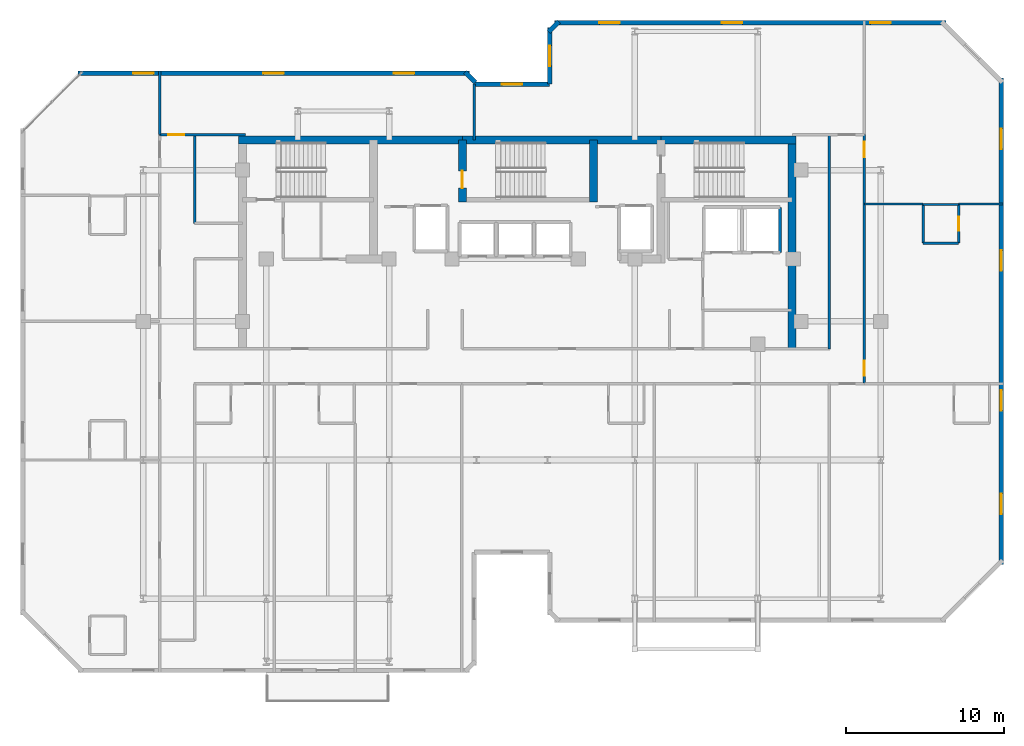
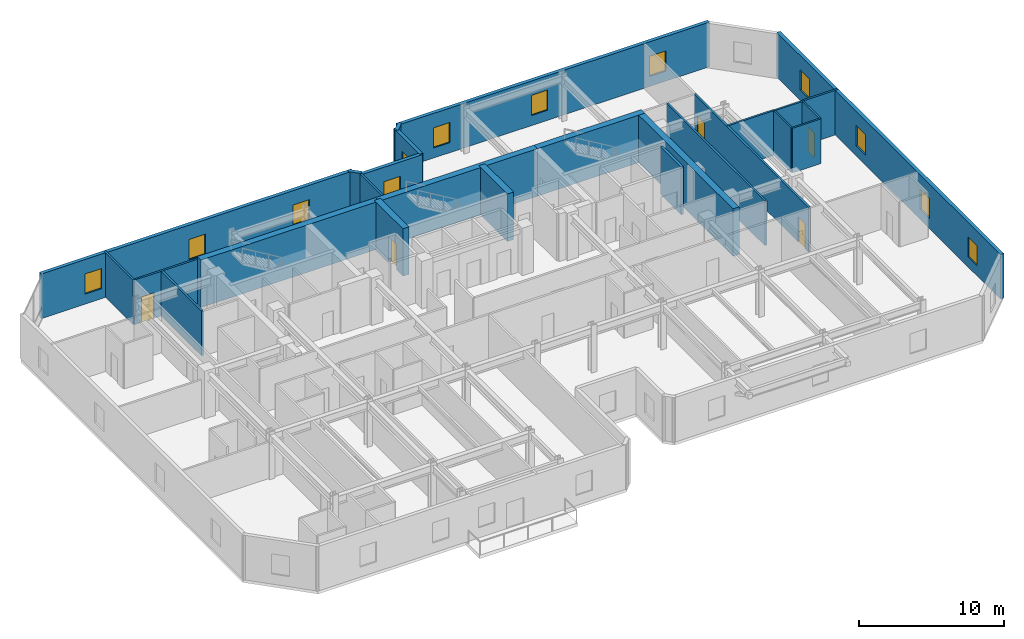
# One storey, part 7 of 10: 26 walls, 12 windows, 5 doors, 17 openings.
"""IFC4 building model written with IfcOpenShell, lengths in metres."""

from ifc_helpers import new_model, si_unit, direction, frame, frame_2d, origin, place, context, subcontext, project, spatial, rectangle, extrude, material, layer, layer_set, type_object, element, fill, save


model = new_model("IFC4")

# Units and contexts
model_context = context("Model", 3, precision=1e-05, world=origin(), true_north=direction((0.0, 1.0)))
body_context = subcontext(model_context, "Body", "Model", "MODEL_VIEW")
ifc_project = project(units=[si_unit("LENGTHUNIT", "METRE"), si_unit("AREAUNIT", "SQUARE_METRE"), si_unit("VOLUMEUNIT", "CUBIC_METRE"), si_unit("PLANEANGLEUNIT", "RADIAN"), si_unit("MASSUNIT", "GRAM", prefix="KILO")], contexts=[model_context])

# Site, building, storey
site_placement = place(None, origin())
site = spatial("IfcSite", under=ifc_project, at=site_placement, CompositionType="ELEMENT")
building_placement = place(site_placement, origin())
building = spatial("IfcBuilding", under=site, at=building_placement, Name="Kestravale Grand Hotel", CompositionType="ELEMENT")
storey_placement = place(building_placement, frame((0.0, 0.0, 281.39990234375)))
storey = spatial("IfcBuildingStorey", under=building, at=storey_placement, Name="L70", CompositionType="ELEMENT", Elevation=281.39990234375)

# Walls
ifc_material_1 = material(Name="Concrete f'c 50 MPa", Category="concrete")
ifc_layer_1 = layer(ifc_material_1, 0.5)
ifc_layer_set_1 = layer_set([ifc_layer_1], Name="EW-CORE-500")
wall_type_1 = type_object("IfcWallType", Name="EW-CORE-500", PredefinedType="SHEAR", material=ifc_layer_set_1)
wall_1_placement = place(storey_placement, frame((21.64990234375, 40.320068359375, 0.0), z_axis=(0.0, 0.0, 1.0), x_axis=(1.0, 0.0, 0.0)))
element("IfcWall", 1, at=wall_1_placement, inside=storey, type_object=wall_type_1, Name="L70 core shear wall N1", PredefinedType="SHEAR", context=body_context, shape_type="SweptSolid", body=[
    extrude(rectangle(XDim=14.2001953125, YDim=0.5, at=frame_2d((7.10009765625, 0.0))), origin(), (0.0, 0.0, 1.0), 4.0),
])
wall_2_placement = place(storey_placement, frame((35.85009765625, 40.320068359375, 0.0), z_axis=(0.0, 0.0, 1.0), x_axis=(1.0, 0.0, 0.0)))
element("IfcWall", 2, at=wall_2_placement, inside=storey, type_object=wall_type_1, Name="L70 core shear wall N2", PredefinedType="SHEAR", context=body_context, shape_type="SweptSolid", body=[
    extrude(rectangle(XDim=12.599853515625, YDim=0.5, at=frame_2d((6.2998046875, 0.0))), origin(), (0.0, 0.0, 1.0), 4.0),
])
wall_3_placement = place(storey_placement, frame((48.449951171875, 40.320068359375, 0.0), z_axis=(0.0, 0.0, 1.0), x_axis=(1.0, 0.0, 0.0)))
element("IfcWall", 3, at=wall_3_placement, inside=storey, type_object=wall_type_1, Name="L70 core shear wall N3", PredefinedType="SHEAR", context=body_context, shape_type="SweptSolid", body=[
    extrude(rectangle(XDim=8.570068359375, YDim=0.5, at=frame_2d((4.28515625, 0.0))), origin(), (0.0, 0.0, 1.0), 4.0),
])
wall_4_placement = place(storey_placement, frame((56.77001953125, 27.050048828125, 0.0), z_axis=(0.0, 0.0, 1.0), x_axis=(0.0, 1.0, 0.0)))
element("IfcWall", 4, at=wall_4_placement, inside=storey, type_object=wall_type_1, Name="L70 core shear wall E1", PredefinedType="SHEAR", context=body_context, shape_type="SweptSolid", body=[
    extrude(rectangle(XDim=13.52001953125, YDim=0.5, at=frame_2d((6.760009765625, 0.0))), origin(), (0.0, 0.0, 1.0), 4.0),
])

# Wall, opening, door
wall_5_placement = place(storey_placement, frame((35.85009765625, 36.3701171875, 0.0), z_axis=(0.0, 0.0, 1.0), x_axis=(0.0, 1.0, 0.0)))
wall_5 = element("IfcWall", 5, at=wall_5_placement, inside=storey, type_object=wall_type_1, Name="L70 core shear wall X2", PredefinedType="SHEAR", context=body_context, shape_type="SweptSolid", body=[
    extrude(rectangle(XDim=3.949951171875, YDim=0.5, at=frame_2d((1.97509765625, 0.0))), origin(), (0.0, 0.0, 1.0), 4.0),
])
opening_1_placement = place(wall_5_placement, frame((0.8798828125, 0.0, 0.0)))
opening_1 = element("IfcOpeningElement", 6, at=opening_1_placement, cuts=wall_5, Name="Opening D-ST-1100", PredefinedType="OPENING", context=body_context, shape_type="SweptSolid", body=[
    extrude(rectangle(XDim=1.10009765625, YDim=2.14990234375, at=frame_2d((0.550048828125, 1.074951171875))), frame((0.0, 0.260009765625, 0.0), z_axis=(0.0, -1.0, 0.0), x_axis=(1.0, 0.0, 0.0)), (0.0, 0.0, 1.0), 0.52001953125),
])
ifc_material_2 = material(Name="Galvanised 90-minute fire-rated steel stair door", Category="steel")
door_type_1 = type_object("IfcDoorType", Name="D-ST-1100", OperationType="NOTDEFINED", PredefinedType="DOOR", material=ifc_material_2)
door_1_placement = place(opening_1_placement, origin())
door_1 = element("IfcDoor", 7, at=door_1_placement, inside=storey, type_object=door_type_1, Name="L70 Stair ST-2 FSAE fire door", OperationType="SINGLE_SWING_RIGHT", OverallHeight=2.14990234375, OverallWidth=1.10009765625, PredefinedType="DOOR", context=body_context, shape_type="SweptSolid", body=[
    extrude(rectangle(XDim=1.10009765625, YDim=2.14990234375, at=frame_2d((0.550048828125, 1.074951171875))), frame((0.0, 0.02490234375, 0.0), z_axis=(0.0, -1.0, 0.0), x_axis=(1.0, 0.0, 0.0)), (0.0, 0.0, 1.0), 0.050048828125),
])
fill(opening_1, door_1)

# Wall
wall_6_placement = place(storey_placement, frame((44.179931640625, 36.3701171875, 0.0), z_axis=(0.0, 0.0, 1.0), x_axis=(0.0, 1.0, 0.0)))
element("IfcWall", 8, at=wall_6_placement, inside=storey, type_object=wall_type_1, Name="L70 core shear wall X3", PredefinedType="SHEAR", context=body_context, shape_type="SweptSolid", body=[
    extrude(rectangle(XDim=3.949951171875, YDim=0.5, at=frame_2d((1.97509765625, 0.0))), origin(), (0.0, 0.0, 1.0), 4.0),
])

# Wall, openings, windows
ifc_material_3 = material(Name="Precast concrete f'c 45 MPa", Category="concrete")
ifc_layer_2 = layer(ifc_material_3, 0.280029296875)
ifc_layer_set_2 = layer_set([ifc_layer_2], Name="EW-PREC-280")
wall_type_2 = type_object("IfcWallType", Name="EW-PREC-280", PredefinedType="SOLIDWALL", material=ifc_layer_set_2)
wall_7_placement = place(storey_placement, frame((70.06005859375, 13.360107421875, 0.0), z_axis=(0.0, 0.0, 1.0), x_axis=(0.0, 1.0, 0.0)))
wall_7 = element("IfcWall", 9, at=wall_7_placement, inside=storey, type_object=wall_type_2, Name="L70 fluted precast facade wall 9", PredefinedType="SOLIDWALL", context=body_context, shape_type="SweptSolid", body=[
    extrude(rectangle(XDim=30.8798828125, YDim=0.280029296875, at=frame_2d((15.43994140625, 0.0))), origin(), (0.0, 0.0, 1.0), 3.760009765625),
])
opening_2_placement = place(wall_7_placement, frame((3.2099609375, 0.0, 0.85009765625)))
opening_2 = element("IfcOpeningElement", 10, at=opening_2_placement, cuts=wall_7, Name="Opening W-GUEST-1300", PredefinedType="OPENING", context=body_context, shape_type="SweptSolid", body=[
    extrude(rectangle(XDim=1.300048828125, YDim=1.699951171875, at=frame_2d((0.64990234375, 0.85009765625))), frame((0.0, 0.14990234375, 0.0), z_axis=(0.0, -1.0, 0.0), x_axis=(1.0, 0.0, 0.0)), (0.0, 0.0, 1.0), 0.300048828125),
])
opening_3_placement = place(wall_7_placement, frame((9.780029296875, 0.0, 0.85009765625)))
opening_3 = element("IfcOpeningElement", 11, at=opening_3_placement, cuts=wall_7, Name="Opening W-GUEST-1300", PredefinedType="OPENING", context=body_context, shape_type="SweptSolid", body=[
    extrude(rectangle(XDim=1.300048828125, YDim=1.699951171875, at=frame_2d((0.64990234375, 0.85009765625))), frame((0.0, 0.14990234375, 0.0), z_axis=(0.0, -1.0, 0.0), x_axis=(1.0, 0.0, 0.0)), (0.0, 0.0, 1.0), 0.300048828125),
])
opening_4_placement = place(wall_7_placement, frame((18.64990234375, 0.0, 0.85009765625)))
opening_4 = element("IfcOpeningElement", 12, at=opening_4_placement, cuts=wall_7, Name="Opening W-GUEST-1300", PredefinedType="OPENING", context=body_context, shape_type="SweptSolid", body=[
    extrude(rectangle(XDim=1.300048828125, YDim=1.699951171875, at=frame_2d((0.64990234375, 0.85009765625))), frame((0.0, 0.14990234375, 0.0), z_axis=(0.0, -1.0, 0.0), x_axis=(1.0, 0.0, 0.0)), (0.0, 0.0, 1.0), 0.300048828125),
])
opening_5_placement = place(wall_7_placement, frame((26.3701171875, 0.0, 0.85009765625)))
opening_5 = element("IfcOpeningElement", 13, at=opening_5_placement, cuts=wall_7, Name="Opening W-GUEST-1300", PredefinedType="OPENING", context=body_context, shape_type="SweptSolid", body=[
    extrude(rectangle(XDim=1.300048828125, YDim=1.699951171875, at=frame_2d((0.64990234375, 0.85009765625))), frame((0.0, 0.14990234375, 0.0), z_axis=(0.0, -1.0, 0.0), x_axis=(1.0, 0.0, 0.0)), (0.0, 0.0, 1.0), 0.300048828125),
])
ifc_material_4 = material(Name="Insulated low-E double glazing in aluminium frame", Category="aluminium")
window_type = type_object("IfcWindowType", Name="W-GUEST-1300", PartitioningType="SINGLE_PANEL", PredefinedType="WINDOW", material=ifc_material_4)
window_1_placement = place(opening_2_placement, origin())
window_1 = element("IfcWindow", 14, at=window_1_placement, inside=storey, type_object=window_type, Name="L70 exterior window 9.1", OverallHeight=1.699951171875, OverallWidth=1.300048828125, PartitioningType="SINGLE_PANEL", PredefinedType="WINDOW", context=body_context, shape_type="SweptSolid", body=[
    extrude(rectangle(XDim=1.300048828125, YDim=1.699951171875, at=frame_2d((0.64990234375, 0.85009765625))), frame((0.0, 0.030029296875, 0.0), z_axis=(0.0, -1.0, 0.0), x_axis=(1.0, 0.0, 0.0)), (0.0, 0.0, 1.0), 0.06005859375),
])
fill(opening_2, window_1)
window_2_placement = place(opening_3_placement, origin())
window_2 = element("IfcWindow", 15, at=window_2_placement, inside=storey, type_object=window_type, Name="L70 exterior window 9.2", OverallHeight=1.699951171875, OverallWidth=1.300048828125, PartitioningType="SINGLE_PANEL", PredefinedType="WINDOW", context=body_context, shape_type="SweptSolid", body=[
    extrude(rectangle(XDim=1.300048828125, YDim=1.699951171875, at=frame_2d((0.64990234375, 0.85009765625))), frame((0.0, 0.030029296875, 0.0), z_axis=(0.0, -1.0, 0.0), x_axis=(1.0, 0.0, 0.0)), (0.0, 0.0, 1.0), 0.06005859375),
])
fill(opening_3, window_2)
window_3_placement = place(opening_4_placement, origin())
window_3 = element("IfcWindow", 16, at=window_3_placement, inside=storey, type_object=window_type, Name="L70 exterior window 9.3", OverallHeight=1.699951171875, OverallWidth=1.300048828125, PartitioningType="SINGLE_PANEL", PredefinedType="WINDOW", context=body_context, shape_type="SweptSolid", body=[
    extrude(rectangle(XDim=1.300048828125, YDim=1.699951171875, at=frame_2d((0.64990234375, 0.85009765625))), frame((0.0, 0.030029296875, 0.0), z_axis=(0.0, -1.0, 0.0), x_axis=(1.0, 0.0, 0.0)), (0.0, 0.0, 1.0), 0.06005859375),
])
fill(opening_4, window_3)
window_4_placement = place(opening_5_placement, origin())
window_4 = element("IfcWindow", 17, at=window_4_placement, inside=storey, type_object=window_type, Name="L70 exterior window 9.4", OverallHeight=1.699951171875, OverallWidth=1.300048828125, PartitioningType="SINGLE_PANEL", PredefinedType="WINDOW", context=body_context, shape_type="SweptSolid", body=[
    extrude(rectangle(XDim=1.300048828125, YDim=1.699951171875, at=frame_2d((0.64990234375, 0.85009765625))), frame((0.0, 0.030029296875, 0.0), z_axis=(0.0, -1.0, 0.0), x_axis=(1.0, 0.0, 0.0)), (0.0, 0.0, 1.0), 0.06005859375),
])
fill(opening_5, window_4)

wall_8_placement = place(storey_placement, frame((66.5400390625, 47.760009765625, 0.0), z_axis=(0.0, 0.0, 1.0), x_axis=(-1.0, 0.0, 0.0)))
wall_8 = element("IfcWall", 18, at=wall_8_placement, inside=storey, type_object=wall_type_2, Name="L70 fluted precast facade wall 11", PredefinedType="SOLIDWALL", context=body_context, shape_type="SweptSolid", body=[
    extrude(rectangle(XDim=24.830078125, YDim=0.280029296875, at=frame_2d((12.4150390625, 0.0))), origin(), (0.0, 0.0, 1.0), 3.760009765625),
])
opening_6_placement = place(wall_8_placement, frame((3.48828125, 0.0, 0.85009765625)))
opening_6 = element("IfcOpeningElement", 19, at=opening_6_placement, cuts=wall_8, Name="Opening W-GUEST-1300", PredefinedType="OPENING", context=body_context, shape_type="SweptSolid", body=[
    extrude(rectangle(XDim=1.300048828125, YDim=1.699951171875, at=frame_2d((0.64990234375, 0.85009765625))), frame((0.0, 0.14990234375, 0.0), z_axis=(0.0, -1.0, 0.0), x_axis=(1.0, 0.0, 0.0)), (0.0, 0.0, 1.0), 0.300048828125),
])
opening_7_placement = place(wall_8_placement, frame((12.9150390625, 0.0, 0.85009765625)))
opening_7 = element("IfcOpeningElement", 20, at=opening_7_placement, cuts=wall_8, Name="Opening W-GUEST-1300", PredefinedType="OPENING", context=body_context, shape_type="SweptSolid", body=[
    extrude(rectangle(XDim=1.300048828125, YDim=1.699951171875, at=frame_2d((0.64990234375, 0.85009765625))), frame((0.0, 0.14990234375, 0.0), z_axis=(0.0, -1.0, 0.0), x_axis=(1.0, 0.0, 0.0)), (0.0, 0.0, 1.0), 0.300048828125),
])
opening_8_placement = place(wall_8_placement, frame((20.691650390625, 0.0, 0.85009765625)))
opening_8 = element("IfcOpeningElement", 21, at=opening_8_placement, cuts=wall_8, Name="Opening W-GUEST-1300", PredefinedType="OPENING", context=body_context, shape_type="SweptSolid", body=[
    extrude(rectangle(XDim=1.300048828125, YDim=1.699951171875, at=frame_2d((0.64990234375, 0.85009765625))), frame((0.0, 0.14990234375, 0.0), z_axis=(0.0, -1.0, 0.0), x_axis=(1.0, 0.0, 0.0)), (0.0, 0.0, 1.0), 0.300048828125),
])
window_5_placement = place(opening_6_placement, origin())
window_5 = element("IfcWindow", 22, at=window_5_placement, inside=storey, type_object=window_type, Name="L70 exterior window 11.1", OverallHeight=1.699951171875, OverallWidth=1.300048828125, PartitioningType="SINGLE_PANEL", PredefinedType="WINDOW", context=body_context, shape_type="SweptSolid", body=[
    extrude(rectangle(XDim=1.300048828125, YDim=1.699951171875, at=frame_2d((0.64990234375, 0.85009765625))), frame((0.0, 0.030029296875, 0.0), z_axis=(0.0, -1.0, 0.0), x_axis=(1.0, 0.0, 0.0)), (0.0, 0.0, 1.0), 0.06005859375),
])
fill(opening_6, window_5)
window_6_placement = place(opening_7_placement, origin())
window_6 = element("IfcWindow", 23, at=window_6_placement, inside=storey, type_object=window_type, Name="L70 exterior window 11.2", OverallHeight=1.699951171875, OverallWidth=1.300048828125, PartitioningType="SINGLE_PANEL", PredefinedType="WINDOW", context=body_context, shape_type="SweptSolid", body=[
    extrude(rectangle(XDim=1.300048828125, YDim=1.699951171875, at=frame_2d((0.64990234375, 0.85009765625))), frame((0.0, 0.030029296875, 0.0), z_axis=(0.0, -1.0, 0.0), x_axis=(1.0, 0.0, 0.0)), (0.0, 0.0, 1.0), 0.06005859375),
])
fill(opening_7, window_6)
window_7_placement = place(opening_8_placement, origin())
window_7 = element("IfcWindow", 24, at=window_7_placement, inside=storey, type_object=window_type, Name="L70 exterior window 11.3", OverallHeight=1.699951171875, OverallWidth=1.300048828125, PartitioningType="SINGLE_PANEL", PredefinedType="WINDOW", context=body_context, shape_type="SweptSolid", body=[
    extrude(rectangle(XDim=1.300048828125, YDim=1.699951171875, at=frame_2d((0.64990234375, 0.85009765625))), frame((0.0, 0.030029296875, 0.0), z_axis=(0.0, -1.0, 0.0), x_axis=(1.0, 0.0, 0.0)), (0.0, 0.0, 1.0), 0.06005859375),
])
fill(opening_8, window_7)

# Wall
wall_9_placement = place(storey_placement, frame((41.977294921875, 47.829345703125, 0.0), z_axis=(0.0, 0.0, 1.0), x_axis=(-0.706975312048, -0.707238225886, 0.0)))
element("IfcWall", 25, at=wall_9_placement, inside=storey, type_object=wall_type_2, Name="L70 fluted precast facade wall 12", PredefinedType="SOLIDWALL", context=body_context, shape_type="SweptSolid", body=[
    extrude(rectangle(XDim=0.9287109375, YDim=0.280029296875, at=frame_2d((0.46435546875, 0.0))), origin(), (0.0, 0.0, 1.0), 3.760009765625),
])

# Wall, opening, window
wall_10_placement = place(storey_placement, frame((41.389892578125, 47.43994140625, 0.0), z_axis=(0.0, 0.0, 1.0), x_axis=(0.0, -1.0, 0.0)))
wall_10 = element("IfcWall", 26, at=wall_10_placement, inside=storey, type_object=wall_type_2, Name="L70 fluted precast facade wall 13", PredefinedType="SOLIDWALL", context=body_context, shape_type="SweptSolid", body=[
    extrude(rectangle(XDim=3.579833984375, YDim=0.280029296875, at=frame_2d((1.7900390625, 0.0))), origin(), (0.0, 0.0, 1.0), 3.760009765625),
])
opening_9_placement = place(wall_10_placement, frame((1.139892578125, 0.0, 0.85009765625)))
opening_9 = element("IfcOpeningElement", 27, at=opening_9_placement, cuts=wall_10, Name="Opening W-GUEST-1300", PredefinedType="OPENING", context=body_context, shape_type="SweptSolid", body=[
    extrude(rectangle(XDim=1.300048828125, YDim=1.699951171875, at=frame_2d((0.64990234375, 0.85009765625))), frame((0.0, 0.14990234375, 0.0), z_axis=(0.0, -1.0, 0.0), x_axis=(1.0, 0.0, 0.0)), (0.0, 0.0, 1.0), 0.300048828125),
])
window_8_placement = place(opening_9_placement, origin())
window_8 = element("IfcWindow", 28, at=window_8_placement, inside=storey, type_object=window_type, Name="L70 exterior window 13.1", OverallHeight=1.699951171875, OverallWidth=1.300048828125, PartitioningType="SINGLE_PANEL", PredefinedType="WINDOW", context=body_context, shape_type="SweptSolid", body=[
    extrude(rectangle(XDim=1.300048828125, YDim=1.699951171875, at=frame_2d((0.64990234375, 0.85009765625))), frame((0.0, 0.030029296875, 0.0), z_axis=(0.0, -1.0, 0.0), x_axis=(1.0, 0.0, 0.0)), (0.0, 0.0, 1.0), 0.06005859375),
])
fill(opening_9, window_8)

wall_11_placement = place(storey_placement, frame((41.389892578125, 43.860107421875, 0.0), z_axis=(0.0, 0.0, 1.0), x_axis=(-1.0, 0.0, 0.0)))
wall_11 = element("IfcWall", 29, at=wall_11_placement, inside=storey, type_object=wall_type_2, Name="L70 fluted precast facade wall 14", PredefinedType="SOLIDWALL", context=body_context, shape_type="SweptSolid", body=[
    extrude(rectangle(XDim=4.77978515625, YDim=0.280029296875, at=frame_2d((2.389892578125, 0.0))), origin(), (0.0, 0.0, 1.0), 3.760009765625),
])
opening_10_placement = place(wall_11_placement, frame((1.739990234375, 0.0, 0.85009765625)))
opening_10 = element("IfcOpeningElement", 30, at=opening_10_placement, cuts=wall_11, Name="Opening W-GUEST-1300", PredefinedType="OPENING", context=body_context, shape_type="SweptSolid", body=[
    extrude(rectangle(XDim=1.300048828125, YDim=1.699951171875, at=frame_2d((0.64990234375, 0.85009765625))), frame((0.0, 0.14990234375, 0.0), z_axis=(0.0, -1.0, 0.0), x_axis=(1.0, 0.0, 0.0)), (0.0, 0.0, 1.0), 0.300048828125),
])
window_9_placement = place(opening_10_placement, origin())
window_9 = element("IfcWindow", 31, at=window_9_placement, inside=storey, type_object=window_type, Name="L70 exterior window 14.1", OverallHeight=1.699951171875, OverallWidth=1.300048828125, PartitioningType="SINGLE_PANEL", PredefinedType="WINDOW", context=body_context, shape_type="SweptSolid", body=[
    extrude(rectangle(XDim=1.300048828125, YDim=1.699951171875, at=frame_2d((0.64990234375, 0.85009765625))), frame((0.0, 0.030029296875, 0.0), z_axis=(0.0, -1.0, 0.0), x_axis=(1.0, 0.0, 0.0)), (0.0, 0.0, 1.0), 0.06005859375),
])
fill(opening_10, window_9)

# Wall
wall_12_placement = place(storey_placement, frame((36.67919921875, 43.97265625, 0.0), z_axis=(0.0, 0.0, 1.0), x_axis=(-0.706975312048, 0.707238225886, 0.0)))
element("IfcWall", 32, at=wall_12_placement, inside=storey, type_object=wall_type_2, Name="L70 fluted precast facade wall 16", PredefinedType="SOLIDWALL", context=body_context, shape_type="SweptSolid", body=[
    extrude(rectangle(XDim=0.9287109375, YDim=0.280029296875, at=frame_2d((0.46435546875, 0.0))), origin(), (0.0, 0.0, 1.0), 3.760009765625),
])

# Wall, openings, windows
wall_13_placement = place(storey_placement, frame((36.2900390625, 44.56005859375, 0.0), z_axis=(0.0, 0.0, 1.0), x_axis=(-1.0, 0.0, 0.0)))
wall_13 = element("IfcWall", 33, at=wall_13_placement, inside=storey, type_object=wall_type_2, Name="L70 fluted precast facade wall 17", PredefinedType="SOLIDWALL", context=body_context, shape_type="SweptSolid", body=[
    extrude(rectangle(XDim=24.830078125, YDim=0.280029296875, at=frame_2d((12.4150390625, 0.0))), origin(), (0.0, 0.0, 1.0), 3.760009765625),
])
opening_11_placement = place(wall_13_placement, frame((3.48828125, 0.0, 0.85009765625)))
opening_11 = element("IfcOpeningElement", 34, at=opening_11_placement, cuts=wall_13, Name="Opening W-GUEST-1300", PredefinedType="OPENING", context=body_context, shape_type="SweptSolid", body=[
    extrude(rectangle(XDim=1.300048828125, YDim=1.699951171875, at=frame_2d((0.64990234375, 0.85009765625))), frame((0.0, 0.14990234375, 0.0), z_axis=(0.0, -1.0, 0.0), x_axis=(1.0, 0.0, 0.0)), (0.0, 0.0, 1.0), 0.300048828125),
])
opening_12_placement = place(wall_13_placement, frame((11.764892578125, 0.0, 0.85009765625)))
opening_12 = element("IfcOpeningElement", 35, at=opening_12_placement, cuts=wall_13, Name="Opening W-GUEST-1300", PredefinedType="OPENING", context=body_context, shape_type="SweptSolid", body=[
    extrude(rectangle(XDim=1.300048828125, YDim=1.699951171875, at=frame_2d((0.64990234375, 0.85009765625))), frame((0.0, 0.14990234375, 0.0), z_axis=(0.0, -1.0, 0.0), x_axis=(1.0, 0.0, 0.0)), (0.0, 0.0, 1.0), 0.300048828125),
])
opening_13_placement = place(wall_13_placement, frame((20.041748046875, 0.0, 0.85009765625)))
opening_13 = element("IfcOpeningElement", 36, at=opening_13_placement, cuts=wall_13, Name="Opening W-GUEST-1300", PredefinedType="OPENING", context=body_context, shape_type="SweptSolid", body=[
    extrude(rectangle(XDim=1.300048828125, YDim=1.699951171875, at=frame_2d((0.64990234375, 0.85009765625))), frame((0.0, 0.14990234375, 0.0), z_axis=(0.0, -1.0, 0.0), x_axis=(1.0, 0.0, 0.0)), (0.0, 0.0, 1.0), 0.300048828125),
])
window_10_placement = place(opening_11_placement, origin())
window_10 = element("IfcWindow", 37, at=window_10_placement, inside=storey, type_object=window_type, Name="L70 exterior window 17.1", OverallHeight=1.699951171875, OverallWidth=1.300048828125, PartitioningType="SINGLE_PANEL", PredefinedType="WINDOW", context=body_context, shape_type="SweptSolid", body=[
    extrude(rectangle(XDim=1.300048828125, YDim=1.699951171875, at=frame_2d((0.64990234375, 0.85009765625))), frame((0.0, 0.030029296875, 0.0), z_axis=(0.0, -1.0, 0.0), x_axis=(1.0, 0.0, 0.0)), (0.0, 0.0, 1.0), 0.06005859375),
])
fill(opening_11, window_10)
window_11_placement = place(opening_12_placement, origin())
window_11 = element("IfcWindow", 38, at=window_11_placement, inside=storey, type_object=window_type, Name="L70 exterior window 17.2", OverallHeight=1.699951171875, OverallWidth=1.300048828125, PartitioningType="SINGLE_PANEL", PredefinedType="WINDOW", context=body_context, shape_type="SweptSolid", body=[
    extrude(rectangle(XDim=1.300048828125, YDim=1.699951171875, at=frame_2d((0.64990234375, 0.85009765625))), frame((0.0, 0.030029296875, 0.0), z_axis=(0.0, -1.0, 0.0), x_axis=(1.0, 0.0, 0.0)), (0.0, 0.0, 1.0), 0.06005859375),
])
fill(opening_12, window_11)
window_12_placement = place(opening_13_placement, origin())
window_12 = element("IfcWindow", 39, at=window_12_placement, inside=storey, type_object=window_type, Name="L70 exterior window 17.3", OverallHeight=1.699951171875, OverallWidth=1.300048828125, PartitioningType="SINGLE_PANEL", PredefinedType="WINDOW", context=body_context, shape_type="SweptSolid", body=[
    extrude(rectangle(XDim=1.300048828125, YDim=1.699951171875, at=frame_2d((0.64990234375, 0.85009765625))), frame((0.0, 0.030029296875, 0.0), z_axis=(0.0, -1.0, 0.0), x_axis=(1.0, 0.0, 0.0)), (0.0, 0.0, 1.0), 0.06005859375),
])
fill(opening_13, window_12)

# Wall
ifc_material_5 = material(Name="Acoustic fire-rated gypsum board partition", Category="other")
ifc_layer_3 = layer(ifc_material_5, 0.159912109375)
ifc_layer_set_3 = layer_set([ifc_layer_3], Name="IW-CORR-160")
wall_type_3 = type_object("IfcWallType", Name="IW-CORR-160", PredefinedType="PARTITIONING", material=ifc_layer_set_3)
wall_14_placement = place(storey_placement, frame((18.860107421875, 35.02001953125, 0.0), z_axis=(0.0, 0.0, 1.0), x_axis=(0.0, 1.0, 0.0)))
element("IfcWall", 40, at=wall_14_placement, inside=storey, type_object=wall_type_3, Name="W-L70-SW-EN", PredefinedType="PARTITIONING", context=body_context, shape_type="SweptSolid", body=[
    extrude(rectangle(XDim=5.6298828125, YDim=0.159912109375, at=frame_2d((2.81494140625, 0.0))), origin(), (0.0, 0.0, 1.0), 3.760009765625),
])

# Wall, openings, doors
wall_15_placement = place(storey_placement, frame((61.360107421875, 24.89990234375, 0.0), z_axis=(0.0, 0.0, 1.0), x_axis=(0.0, 1.0, 0.0)))
wall_15 = element("IfcWall", 41, at=wall_15_placement, inside=storey, type_object=wall_type_3, Name="W-L70-SE-E", PredefinedType="PARTITIONING", context=body_context, shape_type="SweptSolid", body=[
    extrude(rectangle(XDim=15.75, YDim=0.159912109375, at=frame_2d((7.875, 0.0))), origin(), (0.0, 0.0, 1.0), 3.760009765625),
])
opening_14_placement = place(wall_15_placement, frame((0.4599609375, 0.0, 0.0)))
opening_14 = element("IfcOpeningElement", 42, at=opening_14_placement, cuts=wall_15, Name="Opening D-GUEST-950", PredefinedType="OPENING", context=body_context, shape_type="SweptSolid", body=[
    extrude(rectangle(XDim=0.949951171875, YDim=2.10009765625, at=frame_2d((0.47509765625, 1.050048828125))), frame((0.0, 0.08984375, 0.0), z_axis=(0.0, -1.0, 0.0), x_axis=(1.0, 0.0, 0.0)), (0.0, 0.0, 1.0), 0.179931640625),
])
opening_15_placement = place(wall_15_placement, frame((14.31005859375, 0.0, 0.0)))
opening_15 = element("IfcOpeningElement", 43, at=opening_15_placement, cuts=wall_15, Name="Opening D-GUEST-1000", PredefinedType="OPENING", context=body_context, shape_type="SweptSolid", body=[
    extrude(rectangle(XDim=1.0, YDim=2.14990234375, at=frame_2d((0.5, 1.074951171875))), frame((0.0, 0.08984375, 0.0), z_axis=(0.0, -1.0, 0.0), x_axis=(1.0, 0.0, 0.0)), (0.0, 0.0, 1.0), 0.179931640625),
])
ifc_material_6 = material(Name="Accessible walnut veneer hotel entrance fire door", Category="wood")
door_type_2 = type_object("IfcDoorType", Name="D-GUEST-1000", OperationType="NOTDEFINED", PredefinedType="DOOR", material=ifc_material_6)
door_2_placement = place(opening_15_placement, origin())
door_2 = element("IfcDoor", 44, at=door_2_placement, inside=storey, type_object=door_type_2, Name="D-L70-AMEW", OperationType="SINGLE_SWING_LEFT", OverallHeight=2.14990234375, OverallWidth=1.0, PredefinedType="DOOR", context=body_context, shape_type="SweptSolid", body=[
    extrude(rectangle(XDim=1.0, YDim=2.14990234375, at=frame_2d((0.5, 1.074951171875))), frame((0.0, 0.02490234375, 0.0), z_axis=(0.0, -1.0, 0.0), x_axis=(1.0, 0.0, 0.0)), (0.0, 0.0, 1.0), 0.050048828125),
])
fill(opening_15, door_2)
ifc_material_7 = material(Name="Walnut veneer hotel guestroom entrance fire door", Category="wood")
door_type_3 = type_object("IfcDoorType", Name="D-GUEST-950", OperationType="NOTDEFINED", PredefinedType="DOOR", material=ifc_material_7)
door_3_placement = place(opening_14_placement, origin())
door_3 = element("IfcDoor", 45, at=door_3_placement, inside=storey, type_object=door_type_3, Name="D-L70-U08-ENT", OperationType="SINGLE_SWING_RIGHT", OverallHeight=2.10009765625, OverallWidth=0.949951171875, PredefinedType="DOOR", context=body_context, shape_type="SweptSolid", body=[
    extrude(rectangle(XDim=0.949951171875, YDim=2.10009765625, at=frame_2d((0.47509765625, 1.050048828125))), frame((0.0, 0.02490234375, 0.0), z_axis=(0.0, -1.0, 0.0), x_axis=(1.0, 0.0, 0.0)), (0.0, 0.0, 1.0), 0.050048828125),
])
fill(opening_14, door_3)

# Walls
wall_16_placement = place(storey_placement, frame((59.139892578125, 27.06005859375, 0.0), z_axis=(0.0, 0.0, 1.0), x_axis=(0.0, 1.0, 0.0)))
element("IfcWall", 46, at=wall_16_placement, inside=storey, type_object=wall_type_3, Name="W-L70-SE-WU", PredefinedType="PARTITIONING", context=body_context, shape_type="SweptSolid", body=[
    extrude(rectangle(XDim=13.58984375, YDim=0.159912109375, at=frame_2d((6.794921875, 0.0))), origin(), (0.0, 0.0, 1.0), 3.760009765625),
])
ifc_material_8 = material(Name="Moisture-resistant tile-backer plumbing chase wall", Category="other")
ifc_layer_4 = layer(ifc_material_8, 0.139892578125)
ifc_layer_set_4 = layer_set([ifc_layer_4], Name="IW-PLB-140")
wall_type_4 = type_object("IfcWallType", Name="IW-PLB-140", PredefinedType="PLUMBINGWALL", material=ifc_layer_set_4)
wall_17_placement = place(storey_placement, frame((65.10009765625, 33.760009765625, 0.0), z_axis=(0.0, 0.0, 1.0), x_axis=(0.0, 1.0, 0.0)))
element("IfcWall", 47, at=wall_17_placement, inside=storey, type_object=wall_type_4, Name="W-L70-U08-BW", PredefinedType="PLUMBINGWALL", context=body_context, shape_type="SweptSolid", body=[
    extrude(rectangle(XDim=2.449951171875, YDim=0.139892578125, at=frame_2d((1.22509765625, 0.0))), origin(), (0.0, 0.0, 1.0), 3.760009765625),
])

# Wall, opening, door
wall_18_placement = place(storey_placement, frame((67.35009765625, 33.760009765625, 0.0), z_axis=(0.0, 0.0, 1.0), x_axis=(0.0, 1.0, 0.0)))
wall_18 = element("IfcWall", 48, at=wall_18_placement, inside=storey, type_object=wall_type_4, Name="W-L70-U08-BE", PredefinedType="PLUMBINGWALL", context=body_context, shape_type="SweptSolid", body=[
    extrude(rectangle(XDim=2.449951171875, YDim=0.139892578125, at=frame_2d((1.22509765625, 0.0))), origin(), (0.0, 0.0, 1.0), 3.760009765625),
])
opening_16_placement = place(wall_18_placement, frame((0.784912109375, 0.0, 0.0)))
opening_16 = element("IfcOpeningElement", 49, at=opening_16_placement, cuts=wall_18, Name="Opening D-BATH-880", PredefinedType="OPENING", context=body_context, shape_type="SweptSolid", body=[
    extrude(rectangle(XDim=0.8798828125, YDim=2.050048828125, at=frame_2d((0.43994140625, 1.02490234375))), frame((0.0, 0.079833984375, 0.0), z_axis=(0.0, -1.0, 0.0), x_axis=(1.0, 0.0, 0.0)), (0.0, 0.0, 1.0), 0.159912109375),
])
ifc_material_9 = material(Name="Moisture-sealed walnut en-suite bathroom door", Category="wood")
door_type_4 = type_object("IfcDoorType", Name="D-BATH-880", OperationType="NOTDEFINED", PredefinedType="DOOR", material=ifc_material_9)
door_4_placement = place(opening_16_placement, origin())
door_4 = element("IfcDoor", 50, at=door_4_placement, inside=storey, type_object=door_type_4, Name="D-L70-U08-BATH", OperationType="SINGLE_SWING_LEFT", OverallHeight=2.050048828125, OverallWidth=0.8798828125, PredefinedType="DOOR", context=body_context, shape_type="SweptSolid", body=[
    extrude(rectangle(XDim=0.8798828125, YDim=2.050048828125, at=frame_2d((0.43994140625, 1.02490234375))), frame((0.0, 0.02490234375, 0.0), z_axis=(0.0, -1.0, 0.0), x_axis=(1.0, 0.0, 0.0)), (0.0, 0.0, 1.0), 0.050048828125),
])
fill(opening_16, door_4)

# Walls
for number, where, z_axis, x_axis, name in (
    (51, (65.10009765625, 33.760009765625, 0.0), (0.0, 0.0, 1.0), (1.0, 0.0, 0.0), "W-L70-U08-BS"),
    (52, (65.10009765625, 36.2099609375, 0.0), (0.0, 0.0, 1.0), (1.0, 0.0, 0.0), "W-L70-U08-BN"),
):
    element("IfcWall", number, at=place(storey_placement, frame(where, z_axis=z_axis, x_axis=x_axis)), inside=storey, type_object=wall_type_4, Name=name, PredefinedType="PLUMBINGWALL", context=body_context, shape_type="SweptSolid", body=[
        extrude(rectangle(XDim=2.25, YDim=0.139892578125, at=frame_2d((1.125, 0.0))), origin(), (0.0, 0.0, 1.0), 3.760009765625),
    ])
ifc_material_10 = material(Name="Concrete f'c 45 MPa", Category="concrete")
ifc_layer_5 = layer(ifc_material_10, 0.199951171875)
ifc_layer_set_5 = layer_set([ifc_layer_5], Name="IW-SHAFT-200")
wall_type_5 = type_object("IfcWallType", Name="IW-SHAFT-200", PredefinedType="SHEAR", material=ifc_layer_set_5)
wall_19_placement = place(storey_placement, frame((56.02001953125, 33.169921875, 0.0), z_axis=(0.0, 0.0, 1.0), x_axis=(0.0, 1.0, 0.0)))
element("IfcWall", 53, at=wall_19_placement, inside=storey, type_object=wall_type_5, Name="L70 SL-2 east shaft wall", PredefinedType="SHEAR", context=body_context, shape_type="SweptSolid", body=[
    extrude(rectangle(XDim=2.860107421875, YDim=0.199951171875, at=frame_2d((1.43017578125, 0.0))), origin(), (0.0, 0.0, 1.0), 4.0),
])

# Wall, opening, door
ifc_material_11 = material(Name="Double-stud STC 52 acoustic demising partition", Category="other")
ifc_layer_6 = layer(ifc_material_11, 0.14990234375)
ifc_layer_set_6 = layer_set([ifc_layer_6], Name="IW-UNIT-150")
wall_type_6 = type_object("IfcWallType", Name="IW-UNIT-150", PredefinedType="PARTITIONING", material=ifc_layer_set_6)
wall_20_placement = place(storey_placement, frame((16.639892578125, 40.64990234375, 0.0), z_axis=(0.0, 0.0, 1.0), x_axis=(1.0, 0.0, 0.0)))
wall_20 = element("IfcWall", 54, at=wall_20_placement, inside=storey, type_object=wall_type_6, Name="W-L70-SW-N", PredefinedType="PARTITIONING", context=body_context, shape_type="SweptSolid", body=[
    extrude(rectangle(XDim=5.460205078125, YDim=0.14990234375, at=frame_2d((2.72998046875, 0.0))), origin(), (0.0, 0.0, 1.0), 3.760009765625),
])
opening_17_placement = place(wall_20_placement, frame((0.550048828125, 0.0, 0.0)))
opening_17 = element("IfcOpeningElement", 55, at=opening_17_placement, cuts=wall_20, Name="Opening D-GUEST-1000", PredefinedType="OPENING", context=body_context, shape_type="SweptSolid", body=[
    extrude(rectangle(XDim=1.0, YDim=2.14990234375, at=frame_2d((0.5, 1.074951171875))), frame((0.0, 0.0849609375, 0.0), z_axis=(0.0, -1.0, 0.0), x_axis=(1.0, 0.0, 0.0)), (0.0, 0.0, 1.0), 0.169921875),
])
door_5_placement = place(opening_17_placement, origin())
door_5 = element("IfcDoor", 56, at=door_5_placement, inside=storey, type_object=door_type_2, Name="L70 NW Gallery Door", OperationType="SINGLE_SWING_RIGHT", OverallHeight=2.14990234375, OverallWidth=1.0, PredefinedType="DOOR", context=body_context, shape_type="SweptSolid", body=[
    extrude(rectangle(XDim=1.0, YDim=2.14990234375, at=frame_2d((0.5, 1.074951171875))), frame((0.0, 0.02490234375, 0.0), z_axis=(0.0, -1.0, 0.0), x_axis=(1.0, 0.0, 0.0)), (0.0, 0.0, 1.0), 0.050048828125),
])
fill(opening_17, door_5)

# Walls
wall_21_placement = place(storey_placement, frame((16.639892578125, 40.64990234375, 0.0), z_axis=(0.0, 0.0, 1.0), x_axis=(0.0, 1.0, 0.0)))
element("IfcWall", 57, at=wall_21_placement, inside=storey, type_object=wall_type_6, Name="W-L70-NGW-W", PredefinedType="PARTITIONING", context=body_context, shape_type="SweptSolid", body=[
    extrude(rectangle(XDim=4.030029296875, YDim=0.14990234375, at=frame_2d((2.01513671875, 0.0))), origin(), (0.0, 0.0, 1.0), 3.760009765625),
])
wall_22_placement = place(storey_placement, frame((36.60009765625, 40.320068359375, 0.0), z_axis=(0.0, 0.0, 1.0), x_axis=(0.0, 1.0, 0.0)))
element("IfcWall", 58, at=wall_22_placement, inside=storey, type_object=wall_type_6, Name="W-L70-NGM", PredefinedType="PARTITIONING", context=body_context, shape_type="SweptSolid", body=[
    extrude(rectangle(XDim=3.544921875, YDim=0.14990234375, at=frame_2d((1.7724609375, 0.0))), origin(), (0.0, 0.0, 1.0), 3.760009765625),
])
wall_23_placement = place(storey_placement, frame((61.360107421875, 36.25, 0.0), z_axis=(0.0, 0.0, 1.0), x_axis=(1.0, 0.0, 0.0)))
element("IfcWall", 59, at=wall_23_placement, inside=storey, type_object=wall_type_6, Name="W-L70-EW-1", PredefinedType="PARTITIONING", context=body_context, shape_type="SweptSolid", body=[
    extrude(rectangle(XDim=3.739990234375, YDim=0.14990234375, at=frame_2d((1.8701171875, 0.0))), origin(), (0.0, 0.0, 1.0), 3.760009765625),
])
wall_24_placement = place(storey_placement, frame((67.35009765625, 36.25, 0.0), z_axis=(0.0, 0.0, 1.0), x_axis=(1.0, 0.0, 0.0)))
element("IfcWall", 60, at=wall_24_placement, inside=storey, type_object=wall_type_6, Name="W-L70-EW-1", PredefinedType="PARTITIONING", context=body_context, shape_type="SweptSolid", body=[
    extrude(rectangle(XDim=2.829833984375, YDim=0.14990234375, at=frame_2d((1.4150390625, 0.0))), origin(), (0.0, 0.0, 1.0), 3.760009765625),
])

save(model, "model.ifc")
